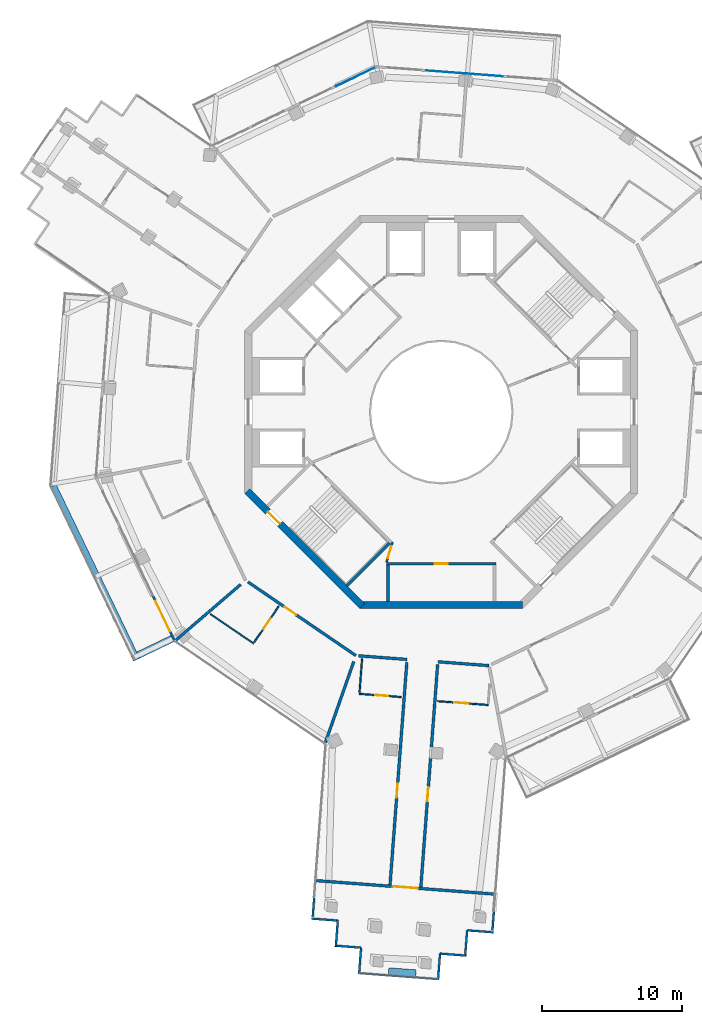
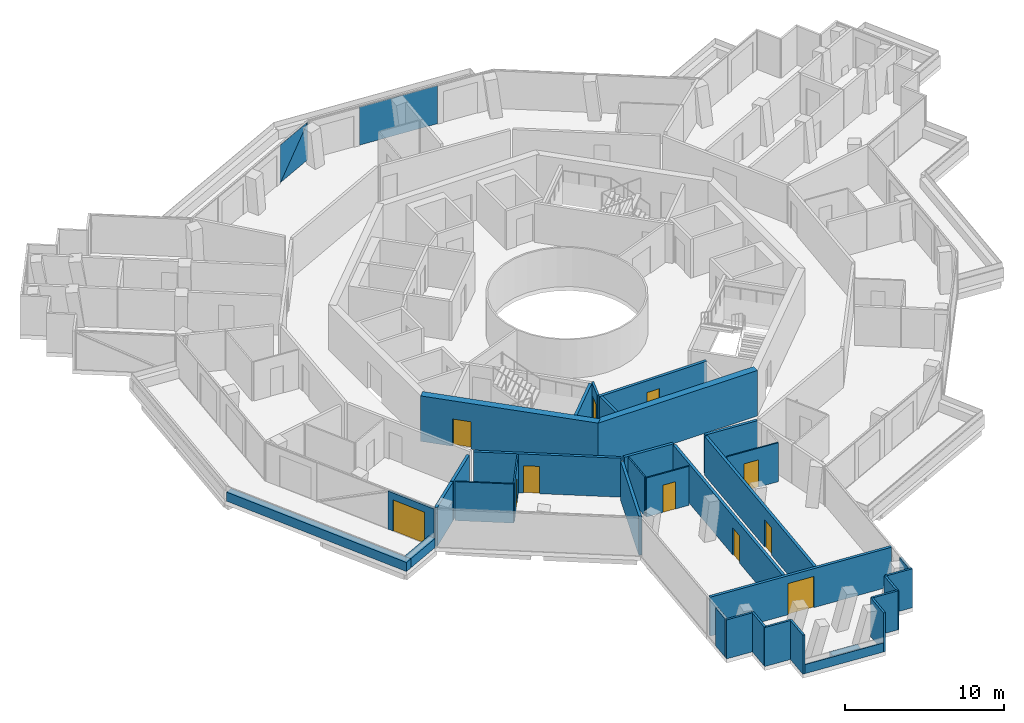
# One storey, part 15 of 23: 35 walls, 11 doors, 3 plates, 11 openings, 2 elements without a shape of their own.
"""IFC4 building model written with IfcOpenShell, lengths in metres."""

from ifc_helpers import new_model, si_unit, direction, frame, frame_2d, origin, origin_2d, place, context, subcontext, project, spatial, polyline, rectangle, outline, extrude, material, layer, layer_set, type_object, element, fill, aggregate, save


model = new_model("IFC4")

# Units and contexts
model_context = context("Model", 3, precision=1e-05, world=origin(), true_north=direction((0.0, 1.0)))
body_context = subcontext(model_context, "Body", "Model", "MODEL_VIEW")
ifc_project = project(units=[si_unit("LENGTHUNIT", "METRE"), si_unit("AREAUNIT", "SQUARE_METRE"), si_unit("VOLUMEUNIT", "CUBIC_METRE"), si_unit("PLANEANGLEUNIT", "RADIAN"), si_unit("MASSUNIT", "GRAM", prefix="KILO")], contexts=[model_context])

# Site, building, storey
site_placement = place(None, origin())
site = spatial("IfcSite", under=ifc_project, at=site_placement, CompositionType="ELEMENT")
building_placement = place(site_placement, origin())
building = spatial("IfcBuilding", under=site, at=building_placement, Name="Verdalira Terraces Hotel", CompositionType="ELEMENT")
storey_placement = place(building_placement, frame((0.0, 0.0, 259.5)))
storey = spatial("IfcBuildingStorey", under=building, at=storey_placement, Name="L64", CompositionType="ELEMENT", Elevation=259.5)

# Curtain wall, plate
ifc_material_1 = material(Name="Clear glass", Category="glass")
ifc_layer_1 = layer(ifc_material_1, 0.14990234375)
ifc_layer_set_1 = layer_set([ifc_layer_1], Name="CW1 curtain wall")
curtain_wall_type = type_object("IfcCurtainWallType", Name="CW1 curtain wall", PredefinedType="NOTDEFINED", material=ifc_layer_set_1)
curtain_wall_1_placement = place(storey_placement, origin())
curtain_wall_1 = element("IfcCurtainWall", 1, at=curtain_wall_1_placement, inside=storey, type_object=curtain_wall_type, Name="CW1 curtain wall L64 edge 40", PredefinedType="NOTDEFINED")
ifc_material_2 = material(Name="Clear glass", Category="glass")
ifc_layer_2 = layer(ifc_material_2, 0.028076171875)
ifc_layer_set_2 = layer_set([ifc_layer_2], Name="CW1 glass unit 28")
plate_type = type_object("IfcPlateType", Name="CW1 glass unit 28", PredefinedType="CURTAIN_PANEL", material=ifc_layer_set_2)
plate_1_placement = place(storey_placement, frame((1.65332, 24.127441, 0.0), z_axis=(0.0, 0.0, 1.0), x_axis=(-0.9971589, 0.075326806, 0.0)))
plate_1 = element("IfcPlate", 2, at=plate_1_placement, type_object=plate_type, Name="CW1 glass unit", PredefinedType="CURTAIN_PANEL", context=body_context, shape_type="SweptSolid", body=[
    extrude(rectangle(XDim=5.453857, YDim=0.028076, at=origin_2d()), origin(), (0.0, 0.0, 1.0), 2.935059),
])
aggregate(curtain_wall_1, [plate_1])

# Curtain wall, plates
curtain_wall_2_placement = place(storey_placement, origin())
curtain_wall_2 = element("IfcCurtainWall", 3, at=curtain_wall_2_placement, inside=storey, type_object=curtain_wall_type, Name="CW1 curtain wall L64 edge 41", PredefinedType="NOTDEFINED")
plate_2_placement = place(storey_placement, frame((-6.102783, 23.883789, 1.467529), z_axis=(-0.433344523, 0.901228342, 0.0), x_axis=(-0.901228342, -0.433344523, 0.0)))
plate_2 = element("IfcPlate", 4, at=plate_2_placement, type_object=plate_type, Name="CW1 glass unit", PredefinedType="CURTAIN_PANEL", context=body_context, shape_type="SweptSolid", body=[
    extrude(outline(polyline([(-1.549805, -1.467529), (1.549805, -1.467529), (-1.549805, 1.467529), (-1.549805, -1.467529)])), origin(), (0.0, 0.0, 1.0), 0.028076),
])
plate_3_placement = place(storey_placement, frame((-6.090332, 23.857666, 1.467529), z_axis=(-0.433344523, 0.901228342, 0.0), x_axis=(-0.901228342, -0.433344523, 0.0)))
plate_3 = element("IfcPlate", 5, at=plate_3_placement, type_object=plate_type, Name="CW1 glass unit", PredefinedType="CURTAIN_PANEL", context=body_context, shape_type="SweptSolid", body=[
    extrude(outline(polyline([(1.549805, -1.467529), (1.549805, 1.467529), (-1.549805, 1.467529), (1.549805, -1.467529)])), origin(), (0.0, 0.0, 1.0), 0.028076),
])
aggregate(curtain_wall_2, [plate_2, plate_3])

# Walls
ifc_material_3 = material(Name="Concrete C40", Category="concrete")
ifc_layer_3 = layer(ifc_material_3, 0.5)
ifc_layer_set_3 = layer_set([ifc_layer_3], Name="Balcony planter trough with tree")
wall_type_1 = type_object("IfcWallType", Name="Balcony planter trough with tree", PredefinedType="SOLIDWALL", material=ifc_layer_set_3)
wall_1_placement = place(storey_placement, frame((-27.651123, -5.280518, 0.0), z_axis=(0.0, 0.0, 1.0), x_axis=(0.433341118, -0.901229979, 0.0)))
element("IfcWall", 6, at=wall_1_placement, inside=storey, type_object=wall_type_1, Name="Balcony planter", PredefinedType="SOLIDWALL", context=body_context, shape_type="SweptSolid", body=[
    extrude(rectangle(XDim=13.723633, YDim=0.5, at=frame_2d((6.861816, 0.0))), origin(), (0.0, 0.0, 1.0), 0.699951),
])
wall_2_placement = place(storey_placement, frame((-21.587158, -17.314941, 0.0), z_axis=(0.0, 0.0, 1.0), x_axis=(0.901213701, 0.433374971, 0.0)))
element("IfcWall", 7, at=wall_2_placement, inside=storey, type_object=wall_type_1, Name="Balcony planter", PredefinedType="SOLIDWALL", context=body_context, shape_type="SweptSolid", body=[
    extrude(rectangle(XDim=2.698975, YDim=0.5, at=frame_2d((1.349609, 0.0))), origin(), (0.0, 0.0, 1.0), 0.699951),
])
ifc_material_4 = material(Name="Moisture-resistant gypsum board partition")
ifc_layer_4 = layer(ifc_material_4, 0.10009765625)
ifc_layer_set_4 = layer_set([ifc_layer_4], Name="Bathroom partition 100 mm")
wall_type_2 = type_object("IfcWallType", Name="Bathroom partition 100 mm", PredefinedType="PARTITIONING", material=ifc_layer_set_4)
wall_3_placement = place(storey_placement, frame((-13.381592, -16.483398, 0.0), z_axis=(0.0, 0.0, 1.0), x_axis=(-0.825895308, 0.563823501, 0.0)))
element("IfcWall", 8, at=wall_3_placement, inside=storey, type_object=wall_type_2, Name="Bathroom partition", PredefinedType="PARTITIONING", context=body_context, shape_type="SweptSolid", body=[
    extrude(rectangle(XDim=3.703857, YDim=0.100098, at=frame_2d((1.852051, 0.0))), origin(), (0.0, 0.0, 1.0), 3.0),
])

# Wall, opening, door
wall_4_placement = place(storey_placement, frame((-13.325195, -16.400635, 0.0), z_axis=(0.0, 0.0, 1.0), x_axis=(0.563808375, 0.825905634, 0.0)))
wall_4 = element("IfcWall", 9, at=wall_4_placement, inside=storey, type_object=wall_type_2, Name="Bathroom partition", PredefinedType="PARTITIONING", context=body_context, shape_type="SweptSolid", body=[
    extrude(rectangle(XDim=3.100098, YDim=0.100098, at=frame_2d((1.550049, 0.0))), origin(), (0.0, 0.0, 1.0), 3.0),
])
opening_1_placement = place(wall_4_placement, frame((1.149902, 0.0, 0.0)))
opening_1 = element("IfcOpeningElement", 10, at=opening_1_placement, cuts=wall_4, Name="Opening L64-110", PredefinedType="OPENING", context=body_context, shape_type="SweptSolid", body=[
    extrude(rectangle(XDim=0.899902, YDim=2.100098, at=frame_2d((0.449951, 1.050049))), frame((0.0, 0.060059, 0.0), z_axis=(0.0, -1.0, 0.0), x_axis=(1.0, 0.0, 0.0)), (0.0, 0.0, 1.0), 0.120117),
])
ifc_material_5 = material(Name="Timber door", Category="wood")
door_type_1 = type_object("IfcDoorType", Name="Bathroom door 900 x 2100", OperationType="NOTDEFINED", PredefinedType="DOOR", material=ifc_material_5)
door_1_placement = place(opening_1_placement, origin())
door_1 = element("IfcDoor", 11, at=door_1_placement, inside=storey, type_object=door_type_1, Name="Bathroom door 6404", OperationType="SINGLE_SWING_LEFT", OverallHeight=2.10009765625, OverallWidth=0.89990234375, PredefinedType="DOOR", context=body_context, shape_type="SweptSolid", body=[
    extrude(rectangle(XDim=0.899902, YDim=2.100098, at=frame_2d((0.449951, 1.050049))), frame((0.0, 0.024902, 0.0), z_axis=(0.0, -1.0, 0.0), x_axis=(1.0, 0.0, 0.0)), (0.0, 0.0, 1.0), 0.050049),
])
fill(opening_1, door_1)

# Wall
wall_5_placement = place(storey_placement, frame((-5.821289, -19.976562, 0.0), z_axis=(0.0, 0.0, 1.0), x_axis=(0.075381725, 0.99715475, 0.0)))
element("IfcWall", 12, at=wall_5_placement, inside=storey, type_object=wall_type_2, Name="Bathroom partition", PredefinedType="PARTITIONING", context=body_context, shape_type="SweptSolid", body=[
    extrude(rectangle(XDim=2.399902, YDim=0.100098, at=frame_2d((1.199951, 0.0))), origin(), (0.0, 0.0, 1.0), 3.0),
])

# Wall, opening, door
wall_6_placement = place(storey_placement, frame((-5.828857, -20.076416, 0.0), z_axis=(0.0, 0.0, 1.0), x_axis=(0.997162622, -0.075277518, 0.0)))
wall_6 = element("IfcWall", 13, at=wall_6_placement, inside=storey, type_object=wall_type_2, Name="Bathroom partition", PredefinedType="PARTITIONING", context=body_context, shape_type="SweptSolid", body=[
    extrude(rectangle(XDim=3.0, YDim=0.100098, at=frame_2d((1.5, 0.0))), origin(), (0.0, 0.0, 1.0), 3.0),
])
opening_2_placement = place(wall_6_placement, frame((1.149902, 0.0, 0.0)))
opening_2 = element("IfcOpeningElement", 14, at=opening_2_placement, cuts=wall_6, Name="Opening L64-112", PredefinedType="OPENING", context=body_context, shape_type="SweptSolid", body=[
    extrude(rectangle(XDim=0.899902, YDim=2.100098, at=frame_2d((0.449951, 1.050049))), frame((0.0, 0.060059, 0.0), z_axis=(0.0, -1.0, 0.0), x_axis=(1.0, 0.0, 0.0)), (0.0, 0.0, 1.0), 0.120117),
])
door_2_placement = place(opening_2_placement, origin())
door_2 = element("IfcDoor", 15, at=door_2_placement, inside=storey, type_object=door_type_1, Name="Bathroom door 6405", OperationType="SINGLE_SWING_LEFT", OverallHeight=2.10009765625, OverallWidth=0.89990234375, PredefinedType="DOOR", context=body_context, shape_type="SweptSolid", body=[
    extrude(rectangle(XDim=0.899902, YDim=2.100098, at=frame_2d((0.449951, 1.050049))), frame((0.0, 0.024902, 0.0), z_axis=(0.0, -1.0, 0.0), x_axis=(1.0, 0.0, 0.0)), (0.0, 0.0, 1.0), 0.050049),
])
fill(opening_2, door_2)

wall_7_placement = place(storey_placement, frame((-0.252197, -20.5979, 0.0), z_axis=(0.0, 0.0, 1.0), x_axis=(0.997162392, -0.075280572, 0.0)))
wall_7 = element("IfcWall", 16, at=wall_7_placement, inside=storey, type_object=wall_type_2, Name="Bathroom partition", PredefinedType="PARTITIONING", context=body_context, shape_type="SweptSolid", body=[
    extrude(rectangle(XDim=3.599854, YDim=0.100098, at=frame_2d((1.799805, 0.0))), origin(), (0.0, 0.0, 1.0), 3.0),
])
opening_3_placement = place(wall_7_placement, frame((1.199951, 0.0, 0.0)))
opening_3 = element("IfcOpeningElement", 17, at=opening_3_placement, cuts=wall_7, Name="Opening L64-114", PredefinedType="OPENING", context=body_context, shape_type="SweptSolid", body=[
    extrude(rectangle(XDim=1.0, YDim=2.100098, at=frame_2d((0.5, 1.050049))), frame((0.0, 0.060059, 0.0), z_axis=(0.0, -1.0, 0.0), x_axis=(1.0, 0.0, 0.0)), (0.0, 0.0, 1.0), 0.120117),
])
ifc_material_6 = material(Name="Timber door", Category="wood")
door_type_2 = type_object("IfcDoorType", Name="Bathroom door 1000 x 2100", OperationType="NOTDEFINED", PredefinedType="DOOR", material=ifc_material_6)
door_3_placement = place(opening_3_placement, origin())
door_3 = element("IfcDoor", 18, at=door_3_placement, inside=storey, type_object=door_type_2, Name="Bathroom door 6406", OperationType="SINGLE_SWING_RIGHT", OverallHeight=2.10009765625, OverallWidth=1.0, PredefinedType="DOOR", context=body_context, shape_type="SweptSolid", body=[
    extrude(rectangle(XDim=1.0, YDim=2.100098, at=frame_2d((0.5, 1.050049))), frame((0.0, 0.024902, 0.0), z_axis=(0.0, -1.0, 0.0), x_axis=(1.0, 0.0, 0.0)), (0.0, 0.0, 1.0), 0.050049),
])
fill(opening_3, door_3)

ifc_material_7 = material(Name="Concrete C50", Category="concrete")
ifc_layer_5 = layer(ifc_material_7, 0.199951171875)
ifc_layer_set_5 = layer_set([ifc_layer_5], Name="Core RC wall 200 C50")
wall_type_3 = type_object("IfcWallType", Name="Core RC wall 200 C50", PredefinedType="SOLIDWALL", material=ifc_layer_set_5)
wall_8_placement = place(storey_placement, frame((-3.899902, -10.800049, 0.0), z_axis=(0.0, 0.0, 1.0), x_axis=(1.0, 0.0, 0.0)))
wall_8 = element("IfcWall", 19, at=wall_8_placement, inside=storey, type_object=wall_type_3, Name="L64 store front wall", PredefinedType="SOLIDWALL", context=body_context, shape_type="SweptSolid", body=[
    extrude(rectangle(XDim=7.799805, YDim=0.199951, at=frame_2d((3.899902, 0.0))), origin(), (0.0, 0.0, 1.0), 3.0),
])
opening_4_placement = place(wall_8_placement, frame((3.449951, 0.0, 0.0)))
opening_4 = element("IfcOpeningElement", 20, at=opening_4_placement, cuts=wall_8, Name="Opening L64-801", PredefinedType="OPENING", context=body_context, shape_type="SweptSolid", body=[
    extrude(rectangle(XDim=0.899902, YDim=2.100098, at=frame_2d((0.449951, 1.050049))), frame((0.0, 0.109863, 0.0), z_axis=(0.0, -1.0, 0.0), x_axis=(1.0, 0.0, 0.0)), (0.0, 0.0, 1.0), 0.219971),
])
ifc_material_8 = material(Name="Steel fire door", Category="steel")
door_type_3 = type_object("IfcDoorType", Name="Core room door 900 x 2100", OperationType="NOTDEFINED", PredefinedType="DOOR", material=ifc_material_8)
door_4_placement = place(opening_4_placement, origin())
door_4 = element("IfcDoor", 21, at=door_4_placement, inside=storey, type_object=door_type_3, Name="Store door L64 SS", OperationType="SINGLE_SWING_LEFT", OverallHeight=2.10009765625, OverallWidth=0.89990234375, PredefinedType="DOOR", context=body_context, shape_type="SweptSolid", body=[
    extrude(rectangle(XDim=0.899902, YDim=2.100098, at=frame_2d((0.449951, 1.050049))), frame((0.0, 0.024902, 0.0), z_axis=(0.0, -1.0, 0.0), x_axis=(1.0, 0.0, 0.0)), (0.0, 0.0, 1.0), 0.050049),
])
fill(opening_4, door_4)

# Walls
wall_9_placement = place(storey_placement, frame((-3.800049, -10.899902, 0.0), z_axis=(0.0, 0.0, 1.0), x_axis=(0.0, -1.0, 0.0)))
element("IfcWall", 22, at=wall_9_placement, inside=storey, type_object=wall_type_3, Name="L64 store side wall", PredefinedType="SOLIDWALL", context=body_context, shape_type="SweptSolid", body=[
    extrude(rectangle(XDim=2.600098, YDim=0.199951, at=frame_2d((1.300049, 0.0))), origin(), (0.0, 0.0, 1.0), 3.0),
])
wall_10_placement = place(storey_placement, frame((-3.677002, -9.33374, 0.0), z_axis=(0.0, 0.0, 1.0), x_axis=(-0.707078393, -0.707135168, 0.0)))
element("IfcWall", 23, at=wall_10_placement, inside=storey, type_object=wall_type_3, Name="L64 stair ST2 end wall 2", PredefinedType="SOLIDWALL", context=body_context, shape_type="SweptSolid", body=[
    extrude(rectangle(XDim=4.300049, YDim=0.199951, at=frame_2d((2.149902, 0.0))), origin(), (0.0, 0.0, 1.0), 3.0),
])

# Wall, opening, door
ifc_material_9 = material(Name="Gypsum board partition")
ifc_layer_6 = layer(ifc_material_9, 0.14990234375)
ifc_layer_set_6 = layer_set([ifc_layer_6], Name="Core partition 150 mm")
wall_type_4 = type_object("IfcWallType", Name="Core partition 150 mm", PredefinedType="PARTITIONING", material=ifc_layer_set_6)
wall_11_placement = place(storey_placement, frame((-3.464844, -9.263184, 0.0), z_axis=(0.0, 0.0, 1.0), x_axis=(-0.289808785, -0.957084567, 0.0)))
wall_11 = element("IfcWall", 24, at=wall_11_placement, inside=storey, type_object=wall_type_4, Name="Room partition L64", PredefinedType="PARTITIONING", context=body_context, shape_type="SweptSolid", body=[
    extrude(rectangle(XDim=1.501221, YDim=0.149902, at=frame_2d((0.750488, 0.0))), origin(), (0.0, 0.0, 1.0), 3.0),
])
opening_5_placement = place(wall_11_placement, frame((0.300781, 0.0, 0.0)))
opening_5 = element("IfcOpeningElement", 25, at=opening_5_placement, cuts=wall_11, Name="Opening L64-822", PredefinedType="OPENING", context=body_context, shape_type="SweptSolid", body=[
    extrude(rectangle(XDim=0.899902, YDim=2.100098, at=frame_2d((0.449951, 1.050049))), frame((0.0, 0.084961, 0.0), z_axis=(0.0, -1.0, 0.0), x_axis=(1.0, 0.0, 0.0)), (0.0, 0.0, 1.0), 0.169922),
])
door_5_placement = place(opening_5_placement, origin())
door_5 = element("IfcDoor", 26, at=door_5_placement, inside=storey, type_object=door_type_3, Name="Door L64 room5", OperationType="SINGLE_SWING_LEFT", OverallHeight=2.10009765625, OverallWidth=0.89990234375, PredefinedType="DOOR", context=body_context, shape_type="SweptSolid", body=[
    extrude(rectangle(XDim=0.899902, YDim=2.100098, at=frame_2d((0.449951, 1.050049))), frame((0.0, 0.024902, 0.0), z_axis=(0.0, -1.0, 0.0), x_axis=(1.0, 0.0, 0.0)), (0.0, 0.0, 1.0), 0.050049),
])
fill(opening_5, door_5)

ifc_material_10 = material(Name="Concrete C50", Category="concrete")
ifc_layer_7 = layer(ifc_material_10, 0.5)
ifc_layer_set_7 = layer_set([ifc_layer_7], Name="Core wall 500 C50")
wall_type_5 = type_object("IfcWallType", Name="Core wall 500 C50", PredefinedType="SHEAR", material=ifc_layer_set_7)
wall_12_placement = place(storey_placement, frame((-13.823242, -5.622314, 0.0), z_axis=(0.0, 0.0, 1.0), x_axis=(0.707106781, -0.707106781, 0.0)))
wall_12 = element("IfcWall", 27, at=wall_12_placement, inside=storey, type_object=wall_type_5, Name="Core wall CW-L64-6", PredefinedType="SHEAR", context=body_context, shape_type="SweptSolid", body=[
    extrude(rectangle(XDim=11.5979, YDim=0.5, at=frame_2d((5.798828, 0.0))), origin(), (0.0, 0.0, 1.0), 3.5),
])
opening_6_placement = place(wall_12_placement, frame((2.099121, 0.0, 0.0)))
opening_6 = element("IfcOpeningElement", 28, at=opening_6_placement, cuts=wall_12, Name="Opening L64-817", PredefinedType="OPENING", context=body_context, shape_type="SweptSolid", body=[
    extrude(rectangle(XDim=1.199951, YDim=2.100098, at=frame_2d((0.600098, 1.050049))), frame((0.0, 0.26001, 0.0), z_axis=(0.0, -1.0, 0.0), x_axis=(1.0, 0.0, 0.0)), (0.0, 0.0, 1.0), 0.52002),
])
ifc_material_11 = material(Name="Steel fire door", Category="steel")
door_type_4 = type_object("IfcDoorType", Name="Stair door 1200 x 2100", OperationType="NOTDEFINED", PredefinedType="DOOR", material=ifc_material_11)
door_6_placement = place(opening_6_placement, origin())
door_6 = element("IfcDoor", 29, at=door_6_placement, inside=storey, type_object=door_type_4, Name="Stair exit door ST2 L64", OperationType="SINGLE_SWING_LEFT", OverallHeight=2.10009765625, OverallWidth=1.199951171875, PredefinedType="DOOR", context=body_context, shape_type="SweptSolid", body=[
    extrude(rectangle(XDim=1.199951, YDim=2.100098, at=frame_2d((0.600098, 1.050049))), frame((0.0, 0.024902, 0.0), z_axis=(0.0, -1.0, 0.0), x_axis=(1.0, 0.0, 0.0)), (0.0, 0.0, 1.0), 0.050049),
])
fill(opening_6, door_6)

# Walls
wall_13_placement = place(storey_placement, frame((-5.799072, -13.75, 0.0), z_axis=(0.0, 0.0, 1.0), x_axis=(1.0, 0.0, 0.0)))
element("IfcWall", 30, at=wall_13_placement, inside=storey, type_object=wall_type_5, Name="Core wall CW-L64-7", PredefinedType="SHEAR", context=body_context, shape_type="SweptSolid", body=[
    extrude(rectangle(XDim=11.598145, YDim=0.5, at=frame_2d((5.799072, 0.0))), origin(), (0.0, 0.0, 1.0), 3.5),
])
ifc_material_12 = material(Name="Fire-rated gypsum board wall")
ifc_layer_8 = layer(ifc_material_12, 0.199951171875)
ifc_layer_set_8 = layer_set([ifc_layer_8], Name="Demising wall 200 mm")
wall_type_6 = type_object("IfcWallType", Name="Demising wall 200 mm", PredefinedType="SOLIDWALL", material=ifc_layer_set_8)
wall_14_placement = place(storey_placement, frame((-16.647949, -14.30957, 0.0), z_axis=(0.0, 0.0, 1.0), x_axis=(-0.758397568, -0.651792244, 0.0)))
element("IfcWall", 31, at=wall_14_placement, inside=storey, type_object=wall_type_6, Name="Demising wall", PredefinedType="SOLIDWALL", context=body_context, shape_type="SweptSolid", body=[
    extrude(rectangle(XDim=3.011475, YDim=0.199951, at=frame_2d((1.505859, 0.0))), origin(), (0.0, 0.0, 1.0), 3.0),
])
wall_15_placement = place(storey_placement, frame((-14.281494, -12.275391, 0.0), z_axis=(0.0, 0.0, 1.0), x_axis=(-0.758375939, -0.65181741, 0.0)))
element("IfcWall", 32, at=wall_15_placement, inside=storey, type_object=wall_type_6, Name="Demising wall", PredefinedType="SOLIDWALL", context=body_context, shape_type="SweptSolid", body=[
    extrude(rectangle(XDim=3.074707, YDim=0.199951, at=frame_2d((1.537354, 0.0))), origin(), (0.0, 0.0, 1.0), 3.0),
])
wall_16_placement = place(storey_placement, frame((-6.230469, -17.771484, 0.0), z_axis=(0.0, 0.0, 1.0), x_axis=(-0.330857589, -0.943680696, 0.0)))
element("IfcWall", 33, at=wall_16_placement, inside=storey, type_object=wall_type_6, Name="Demising wall", PredefinedType="SOLIDWALL", context=body_context, shape_type="SweptSolid", body=[
    extrude(rectangle(XDim=6.13208, YDim=0.199951, at=frame_2d((3.065918, 0.0))), origin(), (0.0, 0.0, 1.0), 3.0),
])

# Wall, opening, door
ifc_material_13 = material(Name="Fire-rated gypsum board wall")
ifc_layer_9 = layer(ifc_material_13, 0.199951171875)
ifc_layer_set_9 = layer_set([ifc_layer_9], Name="Guest corridor wall 200 mm")
wall_type_7 = type_object("IfcWallType", Name="Guest corridor wall 200 mm", PredefinedType="SOLIDWALL", material=ifc_layer_set_9)
wall_17_placement = place(storey_placement, frame((-6.08252, -17.349365, 0.0), z_axis=(0.0, 0.0, 1.0), x_axis=(-0.825908424, 0.563804288, 0.0)))
wall_17 = element("IfcWall", 34, at=wall_17_placement, inside=storey, type_object=wall_type_7, Name="Guest corridor wall", PredefinedType="SOLIDWALL", context=body_context, shape_type="SweptSolid", body=[
    extrude(rectangle(XDim=9.316406, YDim=0.199951, at=frame_2d((4.658203, 0.0))), origin(), (0.0, 0.0, 1.0), 3.0),
])
opening_7_placement = place(wall_17_placement, frame((5.149902, 0.0, 0.0)))
opening_7 = element("IfcOpeningElement", 35, at=opening_7_placement, cuts=wall_17, Name="Opening L64-109", PredefinedType="OPENING", context=body_context, shape_type="SweptSolid", body=[
    extrude(rectangle(XDim=1.0, YDim=2.100098, at=frame_2d((0.5, 1.050049))), frame((0.0, 0.109863, 0.0), z_axis=(0.0, -1.0, 0.0), x_axis=(1.0, 0.0, 0.0)), (0.0, 0.0, 1.0), 0.219971),
])
ifc_material_14 = material(Name="Timber fire door", Category="wood")
door_type_5 = type_object("IfcDoorType", Name="Guest entry door 1000 x 2100", OperationType="NOTDEFINED", PredefinedType="DOOR", material=ifc_material_14)
door_7_placement = place(opening_7_placement, origin())
door_7 = element("IfcDoor", 36, at=door_7_placement, inside=storey, type_object=door_type_5, Name="Guest entry door 6404", OperationType="SINGLE_SWING_LEFT", OverallHeight=2.10009765625, OverallWidth=1.0, PredefinedType="DOOR", context=body_context, shape_type="SweptSolid", body=[
    extrude(rectangle(XDim=1.0, YDim=2.100098, at=frame_2d((0.5, 1.050049))), frame((0.0, 0.024902, 0.0), z_axis=(0.0, -1.0, 0.0), x_axis=(1.0, 0.0, 0.0)), (0.0, 0.0, 1.0), 0.050049),
])
fill(opening_7, door_7)

# Wall
wall_18_placement = place(storey_placement, frame((-5.883057, -17.364502, 0.0), z_axis=(0.0, 0.0, 1.0), x_axis=(0.99715902, -0.075325216, 0.0)))
element("IfcWall", 37, at=wall_18_placement, inside=storey, type_object=wall_type_7, Name="Guest corridor wall", PredefinedType="SOLIDWALL", context=body_context, shape_type="SweptSolid", body=[
    extrude(rectangle(XDim=3.458252, YDim=0.199951, at=frame_2d((1.729004, 0.0))), origin(), (0.0, 0.0, 1.0), 3.0),
])

# Wall, opening, door
wall_19_placement = place(storey_placement, frame((-3.648682, -33.698975, 0.0), z_axis=(0.0, 0.0, 1.0), x_axis=(0.075313774, 0.997159885, 0.0)))
wall_19 = element("IfcWall", 38, at=wall_19_placement, inside=storey, type_object=wall_type_7, Name="Guest corridor wall", PredefinedType="SOLIDWALL", context=body_context, shape_type="SweptSolid", body=[
    extrude(rectangle(XDim=15.919678, YDim=0.199951, at=frame_2d((7.959961, 0.0))), origin(), (0.0, 0.0, 1.0), 3.0),
])
opening_8_placement = place(wall_19_placement, frame((6.25, 0.0, 0.0)))
opening_8 = element("IfcOpeningElement", 39, at=opening_8_placement, cuts=wall_19, Name="Opening L64-111", PredefinedType="OPENING", context=body_context, shape_type="SweptSolid", body=[
    extrude(rectangle(XDim=1.0, YDim=2.100098, at=frame_2d((0.5, 1.050049))), frame((0.0, 0.109863, 0.0), z_axis=(0.0, -1.0, 0.0), x_axis=(1.0, 0.0, 0.0)), (0.0, 0.0, 1.0), 0.219971),
])
door_8_placement = place(opening_8_placement, origin())
door_8 = element("IfcDoor", 40, at=door_8_placement, inside=storey, type_object=door_type_5, Name="Guest entry door 6405", OperationType="SINGLE_SWING_LEFT", OverallHeight=2.10009765625, OverallWidth=1.0, PredefinedType="DOOR", context=body_context, shape_type="SweptSolid", body=[
    extrude(rectangle(XDim=1.0, YDim=2.100098, at=frame_2d((0.5, 1.050049))), frame((0.0, 0.024902, 0.0), z_axis=(0.0, -1.0, 0.0), x_axis=(1.0, 0.0, 0.0)), (0.0, 0.0, 1.0), 0.050049),
])
fill(opening_8, door_8)

wall_20_placement = place(storey_placement, frame((-0.255859, -17.990234, 0.0), z_axis=(0.0, 0.0, 1.0), x_axis=(-0.075329022, -0.997158733, 0.0)))
wall_20 = element("IfcWall", 41, at=wall_20_placement, inside=storey, type_object=wall_type_7, Name="Guest corridor wall", PredefinedType="SOLIDWALL", context=body_context, shape_type="SweptSolid", body=[
    extrude(rectangle(XDim=15.919678, YDim=0.199951, at=frame_2d((7.959961, 0.0))), origin(), (0.0, 0.0, 1.0), 3.0),
])
opening_9_placement = place(wall_20_placement, frame((8.75, 0.0, 0.0)))
opening_9 = element("IfcOpeningElement", 42, at=opening_9_placement, cuts=wall_20, Name="Opening L64-113", PredefinedType="OPENING", context=body_context, shape_type="SweptSolid", body=[
    extrude(rectangle(XDim=1.0, YDim=2.100098, at=frame_2d((0.5, 1.050049))), frame((0.0, 0.109863, 0.0), z_axis=(0.0, -1.0, 0.0), x_axis=(1.0, 0.0, 0.0)), (0.0, 0.0, 1.0), 0.219971),
])
door_9_placement = place(opening_9_placement, origin())
door_9 = element("IfcDoor", 43, at=door_9_placement, inside=storey, type_object=door_type_5, Name="Guest entry door 6406", OperationType="SINGLE_SWING_RIGHT", OverallHeight=2.10009765625, OverallWidth=1.0, PredefinedType="DOOR", context=body_context, shape_type="SweptSolid", body=[
    extrude(rectangle(XDim=1.0, YDim=2.100098, at=frame_2d((0.5, 1.050049))), frame((0.0, 0.024902, 0.0), z_axis=(0.0, -1.0, 0.0), x_axis=(1.0, 0.0, 0.0)), (0.0, 0.0, 1.0), 0.050049),
])
fill(opening_9, door_9)

# Wall
wall_21_placement = place(storey_placement, frame((-0.240723, -17.790771, 0.0), z_axis=(0.0, 0.0, 1.0), x_axis=(0.997157218, -0.075349073, 0.0)))
element("IfcWall", 44, at=wall_21_placement, inside=storey, type_object=wall_type_7, Name="Guest corridor wall", PredefinedType="SOLIDWALL", context=body_context, shape_type="SweptSolid", body=[
    extrude(rectangle(XDim=3.658203, YDim=0.199951, at=frame_2d((1.829102, 0.0))), origin(), (0.0, 0.0, 1.0), 3.0),
])

# Wall, opening, door
ifc_material_15 = material(Name="Terracotta cladding", Category="masonry")
ifc_layer_10 = layer(ifc_material_15, 0.199951171875)
ifc_layer_set_10 = layer_set([ifc_layer_10], Name="Loggia back wall 200")
wall_type_8 = type_object("IfcWallType", Name="Loggia back wall 200", PredefinedType="SOLIDWALL", material=ifc_layer_set_10)
wall_22_placement = place(storey_placement, frame((3.773926, -34.340088, 0.0), z_axis=(0.0, 0.0, 1.0), x_axis=(-0.997158047, 0.075338096, 0.0)))
wall_22 = element("IfcWall", 45, at=wall_22_placement, inside=storey, type_object=wall_type_8, Name="Loggia back wall", PredefinedType="SOLIDWALL", context=body_context, shape_type="SweptSolid", body=[
    extrude(rectangle(XDim=12.699951, YDim=0.199951, at=frame_2d((6.350098, 0.0))), origin(), (0.0, 0.0, 1.0), 3.0),
])
opening_10_placement = place(wall_22_placement, frame((5.449951, 0.0, 0.0)))
opening_10 = element("IfcOpeningElement", 46, at=opening_10_placement, cuts=wall_22, Name="Opening L64-L01", PredefinedType="OPENING", context=body_context, shape_type="SweptSolid", body=[
    extrude(rectangle(XDim=1.800049, YDim=2.399902, at=frame_2d((0.899902, 1.199951))), frame((0.0, 0.109863, 0.0), z_axis=(0.0, -1.0, 0.0), x_axis=(1.0, 0.0, 0.0)), (0.0, 0.0, 1.0), 0.219971),
])
ifc_material_16 = material(Name="Clear glass", Category="glass")
door_type_6 = type_object("IfcDoorType", Name="Garden double door 1800x2400", OperationType="NOTDEFINED", PredefinedType="DOOR", material=ifc_material_16)
door_10_placement = place(opening_10_placement, origin())
door_10 = element("IfcDoor", 47, at=door_10_placement, inside=storey, type_object=door_type_6, Name="Loggia double door", OperationType="DOUBLE_DOOR_SINGLE_SWING", OverallHeight=2.39990234375, OverallWidth=1.800048828125, PredefinedType="DOOR", context=body_context, shape_type="SweptSolid", body=[
    extrude(rectangle(XDim=1.800049, YDim=2.399902, at=frame_2d((0.899902, 1.199951))), frame((0.0, 0.024902, 0.0), z_axis=(0.0, -1.0, 0.0), x_axis=(1.0, 0.0, 0.0)), (0.0, 0.0, 1.0), 0.050049),
])
fill(opening_10, door_10)

# Walls
ifc_material_17 = material(Name="Concrete C40", Category="concrete")
ifc_layer_11 = layer(ifc_material_17, 0.5)
ifc_layer_set_11 = layer_set([ifc_layer_11], Name="Loggia planter trough with tree")
wall_type_9 = type_object("IfcWallType", Name="Loggia planter trough with tree", PredefinedType="SOLIDWALL", material=ifc_layer_set_11)
wall_23_placement = place(storey_placement, frame((-3.751221, -39.838867, 0.0), z_axis=(0.0, 0.0, 1.0), x_axis=(0.997163943, -0.075260019, 0.0)))
element("IfcWall", 48, at=wall_23_placement, inside=storey, type_object=wall_type_9, Name="Loggia planter", PredefinedType="SOLIDWALL", context=body_context, shape_type="SweptSolid", body=[
    extrude(rectangle(XDim=1.949707, YDim=0.5, at=frame_2d((0.974854, 0.0))), origin(), (0.0, 0.0, 1.0), 0.699951),
])
ifc_material_18 = material(Name="Concrete C40", Category="concrete")
ifc_layer_12 = layer(ifc_material_18, 0.10009765625)
ifc_layer_set_12 = layer_set([ifc_layer_12], Name="Loggia upstand 100")
wall_type_10 = type_object("IfcWallType", Name="Loggia upstand 100", PredefinedType="SOLIDWALL", material=ifc_layer_set_12)
wall_24_placement = place(storey_placement, frame((-5.778564, -39.986572, 0.0), z_axis=(0.0, 0.0, 1.0), x_axis=(0.997158776, -0.075328456, 0.0)))
element("IfcWall", 49, at=wall_24_placement, inside=storey, type_object=wall_type_10, Name="Loggia upstand", PredefinedType="SOLIDWALL", context=body_context, shape_type="SweptSolid", body=[
    extrude(rectangle(XDim=5.5, YDim=0.100098, at=frame_2d((2.75, 0.0))), origin(), (0.0, 0.0, 1.0), 0.699951),
])
ifc_material_19 = material(Name="Terracotta cladding", Category="masonry")
ifc_layer_13 = layer(ifc_material_19, 0.14990234375)
ifc_layer_set_13 = layer_set([ifc_layer_13], Name="Terracotta clad wall 150")
wall_type_11 = type_object("IfcWallType", Name="Terracotta clad wall 150", PredefinedType="SOLIDWALL", material=ifc_layer_set_13)
wall_25_placement = place(storey_placement, frame((-9.244873, -36.089355, 0.0), z_axis=(0.0, 0.0, 1.0), x_axis=(0.997164489, -0.075252784, 0.0)))
element("IfcWall", 50, at=wall_25_placement, inside=storey, type_object=wall_type_11, Name="Terracotta cladding wall", PredefinedType="SOLIDWALL", context=body_context, shape_type="SweptSolid", body=[
    extrude(rectangle(XDim=1.875244, YDim=0.149902, at=frame_2d((0.9375, 0.0))), origin(), (0.0, 0.0, 1.0), 3.0),
])
wall_26_placement = place(storey_placement, frame((-7.375, -36.230469, 0.0), z_axis=(0.0, 0.0, 1.0), x_axis=(-0.075410342, -0.997152586, 0.0)))
element("IfcWall", 51, at=wall_26_placement, inside=storey, type_object=wall_type_11, Name="Terracotta cladding wall", PredefinedType="SOLIDWALL", context=body_context, shape_type="SweptSolid", body=[
    extrude(rectangle(XDim=1.800049, YDim=0.149902, at=frame_2d((0.899902, 0.0))), origin(), (0.0, 0.0, 1.0), 3.0),
])
for number, where, z_axis, x_axis, name in (
    (52, (-7.585449, -38.019775, 0.0), (0.0, 0.0, 1.0), (0.997153971, -0.075392028, 0.0), "Terracotta cladding wall"),
    (53, (-5.71582, -38.161133, 0.0), (0.0, 0.0, 1.0), (-0.075262555, -0.997163752, 0.0), "Terracotta cladding wall"),
    (54, (-0.223145, -40.456299, 0.0), (0.0, 0.0, 1.0), (0.075392028, 0.997153971, 0.0), "Terracotta cladding wall"),
):
    element("IfcWall", number, at=place(storey_placement, frame(where, z_axis=z_axis, x_axis=x_axis)), inside=storey, type_object=wall_type_11, Name=name, PredefinedType="SOLIDWALL", context=body_context, shape_type="SweptSolid", body=[
        extrude(rectangle(XDim=1.875, YDim=0.149902, at=frame_2d((0.9375, 0.0))), origin(), (0.0, 0.0, 1.0), 3.0),
    ])
wall_27_placement = place(storey_placement, frame((-0.081787, -38.58667, 0.0), z_axis=(0.0, 0.0, 1.0), x_axis=(0.997162776, -0.075275482, 0.0)))
element("IfcWall", 55, at=wall_27_placement, inside=storey, type_object=wall_type_11, Name="Terracotta cladding wall", PredefinedType="SOLIDWALL", context=body_context, shape_type="SweptSolid", body=[
    extrude(rectangle(XDim=1.800049, YDim=0.149902, at=frame_2d((0.899902, 0.0))), origin(), (0.0, 0.0, 1.0), 3.0),
])
for number, where, z_axis, x_axis, name in (
    (56, (1.70752, -38.796875, 0.0), (0.0, 0.0, 1.0), (0.075262555, 0.997163752, 0.0), "Terracotta cladding wall"),
    (57, (1.848633, -36.927246, 0.0), (0.0, 0.0, 1.0), (0.997153971, -0.075392028, 0.0), "Terracotta cladding wall"),
):
    element("IfcWall", number, at=place(storey_placement, frame(where, z_axis=z_axis, x_axis=x_axis)), inside=storey, type_object=wall_type_11, Name=name, PredefinedType="SOLIDWALL", context=body_context, shape_type="SweptSolid", body=[
        extrude(rectangle(XDim=1.875, YDim=0.149902, at=frame_2d((0.9375, 0.0))), origin(), (0.0, 0.0, 1.0), 3.0),
    ])
ifc_material_20 = material(Name="Terracotta cladding", Category="masonry")
ifc_layer_14 = layer(ifc_material_20, 0.14990234375)
ifc_layer_set_14 = layer_set([ifc_layer_14], Name="Terracotta column pier 150")
wall_type_12 = type_object("IfcWallType", Name="Terracotta column pier 150", PredefinedType="SOLIDWALL", material=ifc_layer_set_14)
wall_28_placement = place(storey_placement, frame((-9.055176, -34.574219, 0.0), z_axis=(0.0, 0.0, 1.0), x_axis=(-0.075181337, -0.997169878, 0.0)))
element("IfcWall", 58, at=wall_28_placement, inside=storey, type_object=wall_type_12, Name="Terracotta column pier", PredefinedType="SOLIDWALL", context=body_context, shape_type="SweptSolid", body=[
    extrude(rectangle(XDim=1.380127, YDim=0.149902, at=frame_2d((0.689941, 0.0))), origin(), (0.0, 0.0, 1.0), 2.935059),
])
wall_29_placement = place(storey_placement, frame((3.654541, -36.918213, 0.0), z_axis=(0.0, 0.0, 1.0), x_axis=(0.075227354, 0.997166408, 0.0)))
element("IfcWall", 59, at=wall_29_placement, inside=storey, type_object=wall_type_12, Name="Terracotta column pier", PredefinedType="SOLIDWALL", context=body_context, shape_type="SweptSolid", body=[
    extrude(rectangle(XDim=1.359863, YDim=0.149902, at=frame_2d((0.679932, 0.0))), origin(), (0.0, 0.0, 1.0), 2.935059),
])

# Wall, opening, door
ifc_material_21 = material(Name="Terracotta cladding", Category="masonry")
ifc_layer_15 = layer(ifc_material_21, 0.14990234375)
ifc_layer_set_15 = layer_set([ifc_layer_15], Name="Terracotta door pier 150")
wall_type_13 = type_object("IfcWallType", Name="Terracotta door pier 150", PredefinedType="SOLIDWALL", material=ifc_layer_set_15)
wall_30_placement = place(storey_placement, frame((-20.539795, -13.089355, 0.0), z_axis=(0.0, 0.0, 1.0), x_axis=(0.433308583, -0.901245622, 0.0)))
wall_30 = element("IfcWall", 60, at=wall_30_placement, inside=storey, type_object=wall_type_13, Name="Terracotta door pier", PredefinedType="SOLIDWALL", context=body_context, shape_type="SweptSolid", body=[
    extrude(rectangle(XDim=3.503906, YDim=0.149902, at=frame_2d((1.751953, 0.0))), origin(), (0.0, 0.0, 1.0), 2.935059),
])
opening_11_placement = place(wall_30_placement, frame((0.399902, 0.0, 0.0)))
opening_11 = element("IfcOpeningElement", 61, at=opening_11_placement, cuts=wall_30, Name="Opening L64-B04", PredefinedType="OPENING", context=body_context, shape_type="SweptSolid", body=[
    extrude(rectangle(XDim=2.399902, YDim=2.399902, at=frame_2d((1.199951, 1.199951))), frame((0.0, 0.084961, 0.0), z_axis=(0.0, -1.0, 0.0), x_axis=(1.0, 0.0, 0.0)), (0.0, 0.0, 1.0), 0.169922),
])
ifc_material_22 = material(Name="Clear glass", Category="glass")
door_type_7 = type_object("IfcDoorType", Name="Balcony sliding door 2400x2400", OperationType="NOTDEFINED", PredefinedType="DOOR", material=ifc_material_22)
door_11_placement = place(opening_11_placement, origin())
door_11 = element("IfcDoor", 62, at=door_11_placement, inside=storey, type_object=door_type_7, Name="Balcony sliding door", OperationType="SLIDING_TO_RIGHT", OverallHeight=2.39990234375, OverallWidth=2.39990234375, PredefinedType="DOOR", context=body_context, shape_type="SweptSolid", body=[
    extrude(rectangle(XDim=2.399902, YDim=2.399902, at=frame_2d((1.199951, 1.199951))), frame((0.0, 0.024902, 0.0), z_axis=(0.0, -1.0, 0.0), x_axis=(1.0, 0.0, 0.0)), (0.0, 0.0, 1.0), 0.050049),
])
fill(opening_11, door_11)

save(model, "model.ifc")
